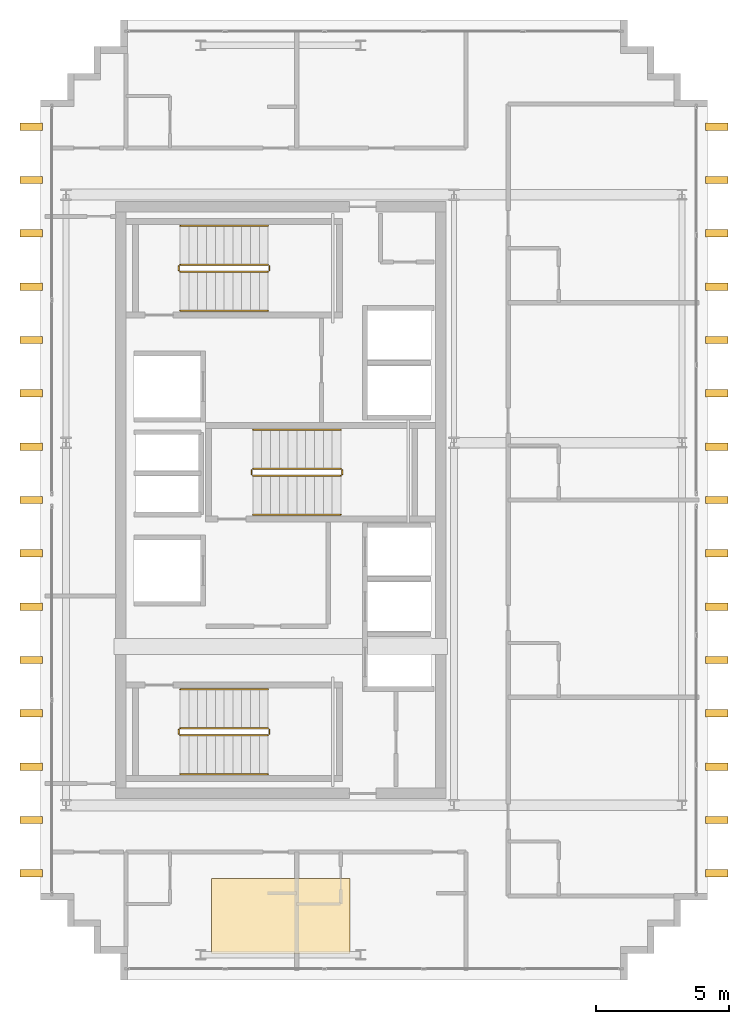
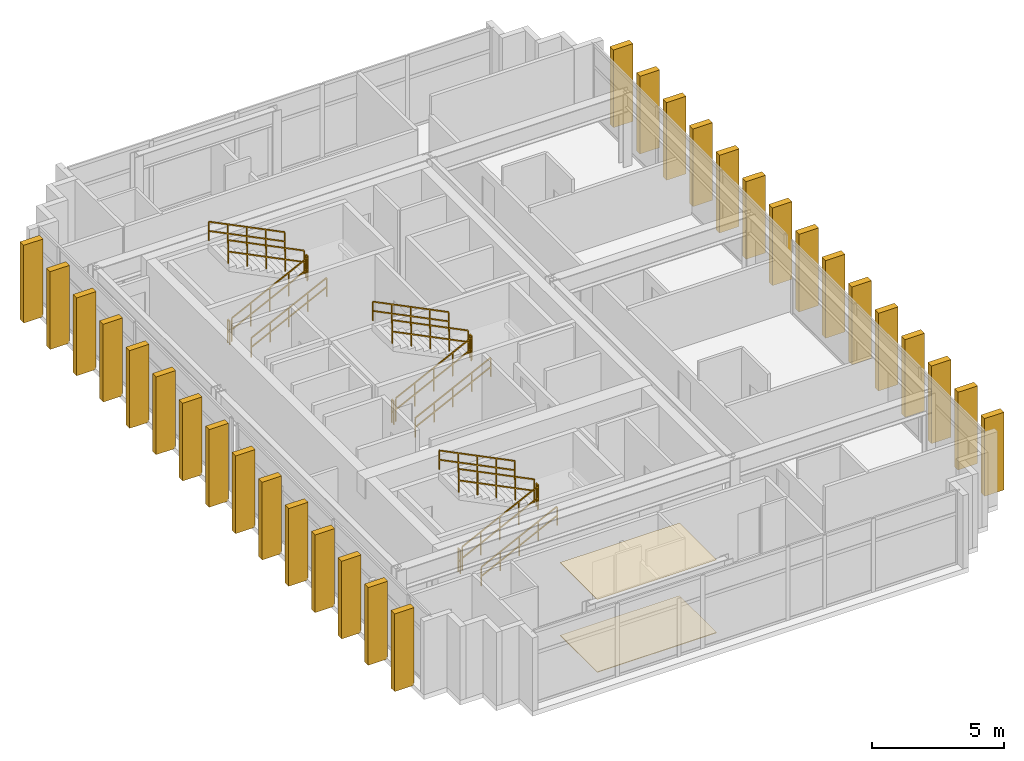
# One storey, part 15 of 15: 30 shading devices, 18 railings, 2 coverings.
"""IFC4 building model written with IfcOpenShell, lengths in metres."""

from ifc_helpers import new_model, si_unit, direction, frame, origin, origin_2d, place, context, subcontext, project, spatial, polyline, rectangle, outline, extrude, source, transform, mapped, material, layer, layer_set, type_object, element, save


model = new_model("IFC4")

# Units and contexts
model_context = context("Model", 3, precision=1e-05, world=origin(), true_north=direction((0.0, 1.0)))
body_context = subcontext(model_context, "Body", "Model", "MODEL_VIEW")
ifc_project = project(units=[si_unit("LENGTHUNIT", "METRE"), si_unit("AREAUNIT", "SQUARE_METRE"), si_unit("VOLUMEUNIT", "CUBIC_METRE"), si_unit("PLANEANGLEUNIT", "RADIAN"), si_unit("MASSUNIT", "GRAM", prefix="KILO")], contexts=[model_context])

# Site, building, storey
site_placement = place(None, origin())
site = spatial("IfcSite", under=ifc_project, at=site_placement, CompositionType="ELEMENT")
building_placement = place(site_placement, origin())
building = spatial("IfcBuilding", under=site, at=building_placement, Name="Ocotamira Hotel", CompositionType="ELEMENT")
storey_placement = place(building_placement, frame((0.0, 0.0, 286.800048828125)))
storey = spatial("IfcBuildingStorey", under=building, at=storey_placement, Name="L73", CompositionType="ELEMENT", Elevation=286.800048828125)

# Coverings
ifc_material_1 = material(Name="Perforated acoustic gypsum ceiling board", Category="gypsum")
ifc_layer_1 = layer(ifc_material_1, 0.02490234375)
ifc_layer_set_1 = layer_set([ifc_layer_1], Name="Perforated acoustic gypsum ceiling board")
covering_type_1 = type_object("IfcCoveringType", Name="COV-CEIL-25", PredefinedType="CEILING", material=ifc_layer_set_1)
covering_1_placement = place(storey_placement, frame((0.0, 0.0, 3.35498046875)))
element("IfcCovering", 1, at=covering_1_placement, inside=storey, type_object=covering_type_1, Name="L73 Acoustic Ceiling", PredefinedType="CEILING", context=body_context, shape_type="SweptSolid", body=[
    extrude(outline(polyline([(14.39990234375, 9.0), (19.60009765625, 9.0), (19.60009765625, 11.800048828125), (14.39990234375, 11.800048828125), (14.39990234375, 9.0)])), origin(), (0.0, 0.0, 1.0), 0.02490234375),
])
ifc_material_2 = material(Name="Honed desert travertine stone flooring", Category="masonry")
ifc_layer_2 = layer(ifc_material_2, 0.030029296875)
ifc_layer_set_2 = layer_set([ifc_layer_2], Name="Honed desert travertine stone flooring")
covering_type_2 = type_object("IfcCoveringType", Name="COV-FLOR-30", PredefinedType="FLOORING", material=ifc_layer_set_2)
covering_2_placement = place(storey_placement, origin())
element("IfcCovering", 2, at=covering_2_placement, inside=storey, type_object=covering_type_2, Name="L73 Honed Stone Floor Finish", PredefinedType="FLOORING", context=body_context, shape_type="SweptSolid", body=[
    extrude(outline(polyline([(14.39990234375, 9.0), (19.60009765625, 9.0), (19.60009765625, 11.800048828125), (14.39990234375, 11.800048828125), (14.39990234375, 9.0)])), origin(), (0.0, 0.0, 1.0), 0.030029296875),
])

# Railings
ifc_material_3 = material(Name="Brushed stainless steel handrail", Category="steel")
railing_type_1 = type_object("IfcRailingType", Name="RL-HAND-900", PredefinedType="HANDRAIL", material=ifc_material_3)
railing_1_placement = place(storey_placement, frame((13.22998046875, 15.719970703125, 0.3271484375)))
element("IfcRailing", 3, at=railing_1_placement, inside=storey, type_object=railing_type_1, Name="L73 ST-1 stair handrail 1", PredefinedType="HANDRAIL", context=body_context, shape_type="SweptSolid", body=[
    extrude(rectangle(XDim=0.048095703125, YDim=0.048095703125, at=origin_2d()), frame((0.0, 0.0, 0.8759765625), z_axis=(0.895893744519, 0.0, 0.4442683857), x_axis=(0.0, 1.0, 0.0)), (0.0, 0.0, 1.0), 3.68359375),
    extrude(rectangle(XDim=0.048095703125, YDim=0.048095703125, at=origin_2d()), frame((0.0, 0.0, 0.449951171875), z_axis=(0.895893744519, 0.0, 0.4442683857), x_axis=(0.0, 1.0, 0.0)), (0.0, 0.0, 1.0), 3.68359375),
    extrude(rectangle(XDim=0.0419921875, YDim=0.0419921875, at=origin_2d()), origin(), (0.0, 0.0, 1.0), 0.851806640625),
    extrude(rectangle(XDim=0.0419921875, YDim=0.0419921875, at=origin_2d()), frame((0.824951171875, 0.0, 0.4091796875)), (0.0, 0.0, 1.0), 0.851806640625),
    extrude(rectangle(XDim=0.0419921875, YDim=0.0419921875, at=origin_2d()), frame((1.64990234375, 0.0, 0.818359375)), (0.0, 0.0, 1.0), 0.851806640625),
    extrude(rectangle(XDim=0.0419921875, YDim=0.0419921875, at=origin_2d()), frame((2.47509765625, 0.0, 1.227294921875)), (0.0, 0.0, 1.0), 0.851806640625),
    extrude(rectangle(XDim=0.0419921875, YDim=0.0419921875, at=origin_2d()), frame((3.300048828125, 0.0, 1.636474609375)), (0.0, 0.0, 1.0), 0.851806640625),
])
railing_2_placement = place(storey_placement, frame((16.530029296875, 18.89990234375, 2.127197265625)))
element("IfcRailing", 4, at=railing_2_placement, inside=storey, type_object=railing_type_1, Name="L73 ST-1 stair handrail 2", PredefinedType="HANDRAIL", context=body_context, shape_type="SweptSolid", body=[
    extrude(rectangle(XDim=0.048095703125, YDim=0.048095703125, at=origin_2d()), frame((0.0, 0.0, 0.8759765625), z_axis=(-0.895893744519, 0.0, 0.4442683857), x_axis=(0.0, -1.0, 0.0)), (0.0, 0.0, 1.0), 3.68359375),
    extrude(rectangle(XDim=0.048095703125, YDim=0.048095703125, at=origin_2d()), frame((0.0, 0.0, 0.449951171875), z_axis=(-0.895893744519, 0.0, 0.4442683857), x_axis=(0.0, -1.0, 0.0)), (0.0, 0.0, 1.0), 3.68359375),
    extrude(rectangle(XDim=0.0419921875, YDim=0.0419921875, at=origin_2d()), origin(), (0.0, 0.0, 1.0), 0.851806640625),
    extrude(rectangle(XDim=0.0419921875, YDim=0.0419921875, at=origin_2d()), frame((-0.824951171875, 0.0, 0.4091796875)), (0.0, 0.0, 1.0), 0.851806640625),
    extrude(rectangle(XDim=0.0419921875, YDim=0.0419921875, at=origin_2d()), frame((-1.64990234375, 0.0, 0.818359375)), (0.0, 0.0, 1.0), 0.851806640625),
    extrude(rectangle(XDim=0.0419921875, YDim=0.0419921875, at=origin_2d()), frame((-2.47509765625, 0.0, 1.227294921875)), (0.0, 0.0, 1.0), 0.851806640625),
    extrude(rectangle(XDim=0.0419921875, YDim=0.0419921875, at=origin_2d()), frame((-3.300048828125, 0.0, 1.636474609375)), (0.0, 0.0, 1.0), 0.851806640625),
])
railing_3_placement = place(storey_placement, frame((13.22998046875, 33.10009765625, 0.3271484375)))
element("IfcRailing", 5, at=railing_3_placement, inside=storey, type_object=railing_type_1, Name="L73 ST-2 stair handrail 1", PredefinedType="HANDRAIL", context=body_context, shape_type="SweptSolid", body=[
    extrude(rectangle(XDim=0.048095703125, YDim=0.048095703125, at=origin_2d()), frame((0.0, 0.0, 0.8759765625), z_axis=(0.895893744519, 0.0, 0.4442683857), x_axis=(0.0, 1.0, 0.0)), (0.0, 0.0, 1.0), 3.68359375),
    extrude(rectangle(XDim=0.048095703125, YDim=0.048095703125, at=origin_2d()), frame((0.0, 0.0, 0.449951171875), z_axis=(0.895893744519, 0.0, 0.4442683857), x_axis=(0.0, 1.0, 0.0)), (0.0, 0.0, 1.0), 3.68359375),
    extrude(rectangle(XDim=0.0419921875, YDim=0.0419921875, at=origin_2d()), origin(), (0.0, 0.0, 1.0), 0.851806640625),
    extrude(rectangle(XDim=0.0419921875, YDim=0.0419921875, at=origin_2d()), frame((0.824951171875, 0.0, 0.4091796875)), (0.0, 0.0, 1.0), 0.851806640625),
    extrude(rectangle(XDim=0.0419921875, YDim=0.0419921875, at=origin_2d()), frame((1.64990234375, 0.0, 0.818359375)), (0.0, 0.0, 1.0), 0.851806640625),
    extrude(rectangle(XDim=0.0419921875, YDim=0.0419921875, at=origin_2d()), frame((2.47509765625, 0.0, 1.227294921875)), (0.0, 0.0, 1.0), 0.851806640625),
    extrude(rectangle(XDim=0.0419921875, YDim=0.0419921875, at=origin_2d()), frame((3.300048828125, 0.0, 1.636474609375)), (0.0, 0.0, 1.0), 0.851806640625),
])
railing_4_placement = place(storey_placement, frame((16.530029296875, 36.280029296875, 2.127197265625)))
element("IfcRailing", 6, at=railing_4_placement, inside=storey, type_object=railing_type_1, Name="L73 ST-2 stair handrail 2", PredefinedType="HANDRAIL", context=body_context, shape_type="SweptSolid", body=[
    extrude(rectangle(XDim=0.048095703125, YDim=0.048095703125, at=origin_2d()), frame((0.0, 0.0, 0.8759765625), z_axis=(-0.895893744519, 0.0, 0.4442683857), x_axis=(0.0, -1.0, 0.0)), (0.0, 0.0, 1.0), 3.68359375),
    extrude(rectangle(XDim=0.048095703125, YDim=0.048095703125, at=origin_2d()), frame((0.0, 0.0, 0.449951171875), z_axis=(-0.895893744519, 0.0, 0.4442683857), x_axis=(0.0, -1.0, 0.0)), (0.0, 0.0, 1.0), 3.68359375),
    extrude(rectangle(XDim=0.0419921875, YDim=0.0419921875, at=origin_2d()), origin(), (0.0, 0.0, 1.0), 0.851806640625),
    extrude(rectangle(XDim=0.0419921875, YDim=0.0419921875, at=origin_2d()), frame((-0.824951171875, 0.0, 0.4091796875)), (0.0, 0.0, 1.0), 0.851806640625),
    extrude(rectangle(XDim=0.0419921875, YDim=0.0419921875, at=origin_2d()), frame((-1.64990234375, 0.0, 0.818359375)), (0.0, 0.0, 1.0), 0.851806640625),
    extrude(rectangle(XDim=0.0419921875, YDim=0.0419921875, at=origin_2d()), frame((-2.47509765625, 0.0, 1.227294921875)), (0.0, 0.0, 1.0), 0.851806640625),
    extrude(rectangle(XDim=0.0419921875, YDim=0.0419921875, at=origin_2d()), frame((-3.300048828125, 0.0, 1.636474609375)), (0.0, 0.0, 1.0), 0.851806640625),
])
railing_5_placement = place(storey_placement, frame((15.9599609375, 25.449951171875, 0.3271484375)))
element("IfcRailing", 7, at=railing_5_placement, inside=storey, type_object=railing_type_1, Name="L73 ST-3 stair handrail 1", PredefinedType="HANDRAIL", context=body_context, shape_type="SweptSolid", body=[
    extrude(rectangle(XDim=0.048095703125, YDim=0.048095703125, at=origin_2d()), frame((0.0, 0.0, 0.8759765625), z_axis=(0.895893744519, 0.0, 0.4442683857), x_axis=(0.0, 1.0, 0.0)), (0.0, 0.0, 1.0), 3.68359375),
    extrude(rectangle(XDim=0.048095703125, YDim=0.048095703125, at=origin_2d()), frame((0.0, 0.0, 0.449951171875), z_axis=(0.895893744519, 0.0, 0.4442683857), x_axis=(0.0, 1.0, 0.0)), (0.0, 0.0, 1.0), 3.68359375),
    extrude(rectangle(XDim=0.0419921875, YDim=0.0419921875, at=origin_2d()), origin(), (0.0, 0.0, 1.0), 0.851806640625),
    extrude(rectangle(XDim=0.0419921875, YDim=0.0419921875, at=origin_2d()), frame((0.824951171875, 0.0, 0.4091796875)), (0.0, 0.0, 1.0), 0.851806640625),
    extrude(rectangle(XDim=0.0419921875, YDim=0.0419921875, at=origin_2d()), frame((1.64990234375, 0.0, 0.818359375)), (0.0, 0.0, 1.0), 0.851806640625),
    extrude(rectangle(XDim=0.0419921875, YDim=0.0419921875, at=origin_2d()), frame((2.47509765625, 0.0, 1.227294921875)), (0.0, 0.0, 1.0), 0.851806640625),
    extrude(rectangle(XDim=0.0419921875, YDim=0.0419921875, at=origin_2d()), frame((3.300048828125, 0.0, 1.636474609375)), (0.0, 0.0, 1.0), 0.851806640625),
])
railing_6_placement = place(storey_placement, frame((19.260009765625, 28.6298828125, 2.127197265625)))
element("IfcRailing", 8, at=railing_6_placement, inside=storey, type_object=railing_type_1, Name="L73 ST-3 stair handrail 2", PredefinedType="HANDRAIL", context=body_context, shape_type="SweptSolid", body=[
    extrude(rectangle(XDim=0.048095703125, YDim=0.048095703125, at=origin_2d()), frame((0.0, 0.0, 0.8759765625), z_axis=(-0.895893744519, 0.0, 0.4442683857), x_axis=(0.0, -1.0, 0.0)), (0.0, 0.0, 1.0), 3.68359375),
    extrude(rectangle(XDim=0.048095703125, YDim=0.048095703125, at=origin_2d()), frame((0.0, 0.0, 0.449951171875), z_axis=(-0.895893744519, 0.0, 0.4442683857), x_axis=(0.0, -1.0, 0.0)), (0.0, 0.0, 1.0), 3.68359375),
    extrude(rectangle(XDim=0.0419921875, YDim=0.0419921875, at=origin_2d()), origin(), (0.0, 0.0, 1.0), 0.851806640625),
    extrude(rectangle(XDim=0.0419921875, YDim=0.0419921875, at=origin_2d()), frame((-0.824951171875, 0.0, 0.4091796875)), (0.0, 0.0, 1.0), 0.851806640625),
    extrude(rectangle(XDim=0.0419921875, YDim=0.0419921875, at=origin_2d()), frame((-1.64990234375, 0.0, 0.818359375)), (0.0, 0.0, 1.0), 0.851806640625),
    extrude(rectangle(XDim=0.0419921875, YDim=0.0419921875, at=origin_2d()), frame((-2.47509765625, 0.0, 1.227294921875)), (0.0, 0.0, 1.0), 0.851806640625),
    extrude(rectangle(XDim=0.0419921875, YDim=0.0419921875, at=origin_2d()), frame((-3.300048828125, 0.0, 1.636474609375)), (0.0, 0.0, 1.0), 0.851806640625),
])
ifc_material_4 = material(Name="Painted steel stair guardrail", Category="steel")
railing_type_2 = type_object("IfcRailingType", Name="RL-STAIR-1100", PredefinedType="GUARDRAIL", material=ifc_material_4)
railing_7_placement = place(storey_placement, frame((13.22998046875, 17.179931640625, 0.16357421875)))
element("IfcRailing", 9, at=railing_7_placement, inside=storey, type_object=railing_type_2, Name="L73 ST-1 stair guard 1", PredefinedType="GUARDRAIL", context=body_context, shape_type="SweptSolid", body=[
    extrude(rectangle(XDim=0.048095703125, YDim=0.048095703125, at=origin_2d()), frame((0.0, 0.0, 1.076171875), z_axis=(0.895893744519, 0.0, 0.4442683857), x_axis=(0.0, 1.0, 0.0)), (0.0, 0.0, 1.0), 3.68359375),
    extrude(rectangle(XDim=0.048095703125, YDim=0.048095703125, at=origin_2d()), frame((0.0, 0.0, 0.550048828125), z_axis=(0.895893744519, 0.0, 0.4442683857), x_axis=(0.0, 1.0, 0.0)), (0.0, 0.0, 1.0), 3.68359375),
    extrude(rectangle(XDim=0.0419921875, YDim=0.0419921875, at=origin_2d()), origin(), (0.0, 0.0, 1.0), 1.052001953125),
    extrude(rectangle(XDim=0.0419921875, YDim=0.0419921875, at=origin_2d()), frame((0.824951171875, 0.0, 0.4091796875)), (0.0, 0.0, 1.0), 1.052001953125),
    extrude(rectangle(XDim=0.0419921875, YDim=0.0419921875, at=origin_2d()), frame((1.64990234375, 0.0, 0.818359375)), (0.0, 0.0, 1.0), 1.052001953125),
    extrude(rectangle(XDim=0.0419921875, YDim=0.0419921875, at=origin_2d()), frame((2.47509765625, 0.0, 1.227294921875)), (0.0, 0.0, 1.0), 1.052001953125),
    extrude(rectangle(XDim=0.0419921875, YDim=0.0419921875, at=origin_2d()), frame((3.300048828125, 0.0, 1.636474609375)), (0.0, 0.0, 1.0), 1.052001953125),
])
railing_8_placement = place(storey_placement, frame((16.580078125, 17.22998046875, 1.800048828125)))
element("IfcRailing", 10, at=railing_8_placement, inside=storey, type_object=railing_type_2, Name="L73 ST-1 stair guard 2", PredefinedType="GUARDRAIL", context=body_context, shape_type="SweptSolid", body=[
    extrude(rectangle(XDim=0.048095703125, YDim=0.048095703125, at=origin_2d()), frame((0.0, 0.0, 1.076171875), z_axis=(0.0, 1.0, 0.0), x_axis=(-1.0, 0.0, 0.0)), (0.0, 0.0, 1.0), 0.159912109375),
    extrude(rectangle(XDim=0.048095703125, YDim=0.048095703125, at=origin_2d()), frame((0.0, 0.0, 0.550048828125), z_axis=(0.0, 1.0, 0.0), x_axis=(-1.0, 0.0, 0.0)), (0.0, 0.0, 1.0), 0.159912109375),
    extrude(rectangle(XDim=0.0419921875, YDim=0.0419921875, at=origin_2d()), origin(), (0.0, 0.0, 1.0), 1.052001953125),
    extrude(rectangle(XDim=0.0419921875, YDim=0.0419921875, at=origin_2d()), frame((0.0, 0.159912109375, 0.0)), (0.0, 0.0, 1.0), 1.052001953125),
])
railing_9_placement = place(storey_placement, frame((16.530029296875, 17.43994140625, 1.963623046875)))
element("IfcRailing", 11, at=railing_9_placement, inside=storey, type_object=railing_type_2, Name="L73 ST-1 stair guard 3", PredefinedType="GUARDRAIL", context=body_context, shape_type="SweptSolid", body=[
    extrude(rectangle(XDim=0.048095703125, YDim=0.048095703125, at=origin_2d()), frame((0.0, 0.0, 1.076171875), z_axis=(-0.895920123917, 0.0, 0.444215186098), x_axis=(0.0, -1.0, 0.0)), (0.0, 0.0, 1.0), 3.683349609375),
    extrude(rectangle(XDim=0.048095703125, YDim=0.048095703125, at=origin_2d()), frame((0.0, 0.0, 0.550048828125), z_axis=(-0.895920123917, 0.0, 0.444215186098), x_axis=(0.0, -1.0, 0.0)), (0.0, 0.0, 1.0), 3.683349609375),
    extrude(rectangle(XDim=0.0419921875, YDim=0.0419921875, at=origin_2d()), origin(), (0.0, 0.0, 1.0), 1.052001953125),
    extrude(rectangle(XDim=0.0419921875, YDim=0.0419921875, at=origin_2d()), frame((-0.824951171875, 0.0, 0.4091796875)), (0.0, 0.0, 1.0), 1.052001953125),
    extrude(rectangle(XDim=0.0419921875, YDim=0.0419921875, at=origin_2d()), frame((-1.64990234375, 0.0, 0.818115234375)), (0.0, 0.0, 1.0), 1.052001953125),
    extrude(rectangle(XDim=0.0419921875, YDim=0.0419921875, at=origin_2d()), frame((-2.47509765625, 0.0, 1.22705078125)), (0.0, 0.0, 1.0), 1.052001953125),
    extrude(rectangle(XDim=0.0419921875, YDim=0.0419921875, at=origin_2d()), frame((-3.300048828125, 0.0, 1.63623046875)), (0.0, 0.0, 1.0), 1.052001953125),
])
railing_10_placement = place(storey_placement, frame((13.179931640625, 17.22998046875, 0.0)))
element("IfcRailing", 12, at=railing_10_placement, inside=storey, type_object=railing_type_2, Name="L73 ST-1 stair guard 4", PredefinedType="GUARDRAIL", context=body_context, shape_type="SweptSolid", body=[
    extrude(rectangle(XDim=0.048095703125, YDim=0.048095703125, at=origin_2d()), frame((0.0, 0.0, 1.076171875), z_axis=(0.0, 1.0, 0.0), x_axis=(-1.0, 0.0, 0.0)), (0.0, 0.0, 1.0), 0.159912109375),
    extrude(rectangle(XDim=0.048095703125, YDim=0.048095703125, at=origin_2d()), frame((0.0, 0.0, 0.550048828125), z_axis=(0.0, 1.0, 0.0), x_axis=(-1.0, 0.0, 0.0)), (0.0, 0.0, 1.0), 0.159912109375),
    extrude(rectangle(XDim=0.0419921875, YDim=0.0419921875, at=origin_2d()), origin(), (0.0, 0.0, 1.0), 1.052001953125),
    extrude(rectangle(XDim=0.0419921875, YDim=0.0419921875, at=origin_2d()), frame((0.0, 0.159912109375, 0.0)), (0.0, 0.0, 1.0), 1.052001953125),
])
railing_11_placement = place(storey_placement, frame((13.22998046875, 34.56005859375, 0.16357421875)))
element("IfcRailing", 13, at=railing_11_placement, inside=storey, type_object=railing_type_2, Name="L73 ST-2 stair guard 1", PredefinedType="GUARDRAIL", context=body_context, shape_type="SweptSolid", body=[
    extrude(rectangle(XDim=0.048095703125, YDim=0.048095703125, at=origin_2d()), frame((0.0, 0.0, 1.076171875), z_axis=(0.895893744519, 0.0, 0.4442683857), x_axis=(0.0, 1.0, 0.0)), (0.0, 0.0, 1.0), 3.68359375),
    extrude(rectangle(XDim=0.048095703125, YDim=0.048095703125, at=origin_2d()), frame((0.0, 0.0, 0.550048828125), z_axis=(0.895893744519, 0.0, 0.4442683857), x_axis=(0.0, 1.0, 0.0)), (0.0, 0.0, 1.0), 3.68359375),
    extrude(rectangle(XDim=0.0419921875, YDim=0.0419921875, at=origin_2d()), origin(), (0.0, 0.0, 1.0), 1.052001953125),
    extrude(rectangle(XDim=0.0419921875, YDim=0.0419921875, at=origin_2d()), frame((0.824951171875, 0.0, 0.4091796875)), (0.0, 0.0, 1.0), 1.052001953125),
    extrude(rectangle(XDim=0.0419921875, YDim=0.0419921875, at=origin_2d()), frame((1.64990234375, 0.0, 0.818359375)), (0.0, 0.0, 1.0), 1.052001953125),
    extrude(rectangle(XDim=0.0419921875, YDim=0.0419921875, at=origin_2d()), frame((2.47509765625, 0.0, 1.227294921875)), (0.0, 0.0, 1.0), 1.052001953125),
    extrude(rectangle(XDim=0.0419921875, YDim=0.0419921875, at=origin_2d()), frame((3.300048828125, 0.0, 1.636474609375)), (0.0, 0.0, 1.0), 1.052001953125),
])
railing_12_placement = place(storey_placement, frame((16.580078125, 34.610107421875, 1.800048828125)))
element("IfcRailing", 14, at=railing_12_placement, inside=storey, type_object=railing_type_2, Name="L73 ST-2 stair guard 2", PredefinedType="GUARDRAIL", context=body_context, shape_type="SweptSolid", body=[
    extrude(rectangle(XDim=0.048095703125, YDim=0.048095703125, at=origin_2d()), frame((0.0, 0.0, 1.076171875), z_axis=(0.0, 1.0, 0.0), x_axis=(-1.0, 0.0, 0.0)), (0.0, 0.0, 1.0), 0.159912109375),
    extrude(rectangle(XDim=0.048095703125, YDim=0.048095703125, at=origin_2d()), frame((0.0, 0.0, 0.550048828125), z_axis=(0.0, 1.0, 0.0), x_axis=(-1.0, 0.0, 0.0)), (0.0, 0.0, 1.0), 0.159912109375),
    extrude(rectangle(XDim=0.0419921875, YDim=0.0419921875, at=origin_2d()), origin(), (0.0, 0.0, 1.0), 1.052001953125),
    extrude(rectangle(XDim=0.0419921875, YDim=0.0419921875, at=origin_2d()), frame((0.0, 0.159912109375, 0.0)), (0.0, 0.0, 1.0), 1.052001953125),
])
railing_13_placement = place(storey_placement, frame((16.530029296875, 34.820068359375, 1.963623046875)))
element("IfcRailing", 15, at=railing_13_placement, inside=storey, type_object=railing_type_2, Name="L73 ST-2 stair guard 3", PredefinedType="GUARDRAIL", context=body_context, shape_type="SweptSolid", body=[
    extrude(rectangle(XDim=0.048095703125, YDim=0.048095703125, at=origin_2d()), frame((0.0, 0.0, 1.076171875), z_axis=(-0.895920123917, 0.0, 0.444215186098), x_axis=(0.0, -1.0, 0.0)), (0.0, 0.0, 1.0), 3.683349609375),
    extrude(rectangle(XDim=0.048095703125, YDim=0.048095703125, at=origin_2d()), frame((0.0, 0.0, 0.550048828125), z_axis=(-0.895920123917, 0.0, 0.444215186098), x_axis=(0.0, -1.0, 0.0)), (0.0, 0.0, 1.0), 3.683349609375),
    extrude(rectangle(XDim=0.0419921875, YDim=0.0419921875, at=origin_2d()), origin(), (0.0, 0.0, 1.0), 1.052001953125),
    extrude(rectangle(XDim=0.0419921875, YDim=0.0419921875, at=origin_2d()), frame((-0.824951171875, 0.0, 0.4091796875)), (0.0, 0.0, 1.0), 1.052001953125),
    extrude(rectangle(XDim=0.0419921875, YDim=0.0419921875, at=origin_2d()), frame((-1.64990234375, 0.0, 0.818115234375)), (0.0, 0.0, 1.0), 1.052001953125),
    extrude(rectangle(XDim=0.0419921875, YDim=0.0419921875, at=origin_2d()), frame((-2.47509765625, 0.0, 1.22705078125)), (0.0, 0.0, 1.0), 1.052001953125),
    extrude(rectangle(XDim=0.0419921875, YDim=0.0419921875, at=origin_2d()), frame((-3.300048828125, 0.0, 1.63623046875)), (0.0, 0.0, 1.0), 1.052001953125),
])
railing_14_placement = place(storey_placement, frame((13.179931640625, 34.610107421875, 0.0)))
element("IfcRailing", 16, at=railing_14_placement, inside=storey, type_object=railing_type_2, Name="L73 ST-2 stair guard 4", PredefinedType="GUARDRAIL", context=body_context, shape_type="SweptSolid", body=[
    extrude(rectangle(XDim=0.048095703125, YDim=0.048095703125, at=origin_2d()), frame((0.0, 0.0, 1.076171875), z_axis=(0.0, 1.0, 0.0), x_axis=(-1.0, 0.0, 0.0)), (0.0, 0.0, 1.0), 0.159912109375),
    extrude(rectangle(XDim=0.048095703125, YDim=0.048095703125, at=origin_2d()), frame((0.0, 0.0, 0.550048828125), z_axis=(0.0, 1.0, 0.0), x_axis=(-1.0, 0.0, 0.0)), (0.0, 0.0, 1.0), 0.159912109375),
    extrude(rectangle(XDim=0.0419921875, YDim=0.0419921875, at=origin_2d()), origin(), (0.0, 0.0, 1.0), 1.052001953125),
    extrude(rectangle(XDim=0.0419921875, YDim=0.0419921875, at=origin_2d()), frame((0.0, 0.159912109375, 0.0)), (0.0, 0.0, 1.0), 1.052001953125),
])
railing_15_placement = place(storey_placement, frame((15.9599609375, 26.909912109375, 0.16357421875)))
element("IfcRailing", 17, at=railing_15_placement, inside=storey, type_object=railing_type_2, Name="L73 ST-3 stair guard 1", PredefinedType="GUARDRAIL", context=body_context, shape_type="SweptSolid", body=[
    extrude(rectangle(XDim=0.048095703125, YDim=0.048095703125, at=origin_2d()), frame((0.0, 0.0, 1.076171875), z_axis=(0.895893744519, 0.0, 0.4442683857), x_axis=(0.0, 1.0, 0.0)), (0.0, 0.0, 1.0), 3.68359375),
    extrude(rectangle(XDim=0.048095703125, YDim=0.048095703125, at=origin_2d()), frame((0.0, 0.0, 0.550048828125), z_axis=(0.895893744519, 0.0, 0.4442683857), x_axis=(0.0, 1.0, 0.0)), (0.0, 0.0, 1.0), 3.68359375),
    extrude(rectangle(XDim=0.0419921875, YDim=0.0419921875, at=origin_2d()), origin(), (0.0, 0.0, 1.0), 1.052001953125),
    extrude(rectangle(XDim=0.0419921875, YDim=0.0419921875, at=origin_2d()), frame((0.824951171875, 0.0, 0.4091796875)), (0.0, 0.0, 1.0), 1.052001953125),
    extrude(rectangle(XDim=0.0419921875, YDim=0.0419921875, at=origin_2d()), frame((1.64990234375, 0.0, 0.818359375)), (0.0, 0.0, 1.0), 1.052001953125),
    extrude(rectangle(XDim=0.0419921875, YDim=0.0419921875, at=origin_2d()), frame((2.47509765625, 0.0, 1.227294921875)), (0.0, 0.0, 1.0), 1.052001953125),
    extrude(rectangle(XDim=0.0419921875, YDim=0.0419921875, at=origin_2d()), frame((3.300048828125, 0.0, 1.636474609375)), (0.0, 0.0, 1.0), 1.052001953125),
])
railing_16_placement = place(storey_placement, frame((19.31005859375, 26.9599609375, 1.800048828125)))
element("IfcRailing", 18, at=railing_16_placement, inside=storey, type_object=railing_type_2, Name="L73 ST-3 stair guard 2", PredefinedType="GUARDRAIL", context=body_context, shape_type="SweptSolid", body=[
    extrude(rectangle(XDim=0.048095703125, YDim=0.048095703125, at=origin_2d()), frame((0.0, 0.0, 1.076171875), z_axis=(0.0, 1.0, 0.0), x_axis=(-1.0, 0.0, 0.0)), (0.0, 0.0, 1.0), 0.16015625),
    extrude(rectangle(XDim=0.048095703125, YDim=0.048095703125, at=origin_2d()), frame((0.0, 0.0, 0.550048828125), z_axis=(0.0, 1.0, 0.0), x_axis=(-1.0, 0.0, 0.0)), (0.0, 0.0, 1.0), 0.16015625),
    extrude(rectangle(XDim=0.0419921875, YDim=0.0419921875, at=origin_2d()), origin(), (0.0, 0.0, 1.0), 1.052001953125),
    extrude(rectangle(XDim=0.0419921875, YDim=0.0419921875, at=origin_2d()), frame((0.0, 0.16015625, 0.0)), (0.0, 0.0, 1.0), 1.052001953125),
])
railing_17_placement = place(storey_placement, frame((19.260009765625, 27.169921875, 1.963623046875)))
element("IfcRailing", 19, at=railing_17_placement, inside=storey, type_object=railing_type_2, Name="L73 ST-3 stair guard 3", PredefinedType="GUARDRAIL", context=body_context, shape_type="SweptSolid", body=[
    extrude(rectangle(XDim=0.048095703125, YDim=0.048095703125, at=origin_2d()), frame((0.0, 0.0, 1.076171875), z_axis=(-0.895920123917, 0.0, 0.444215186098), x_axis=(0.0, -1.0, 0.0)), (0.0, 0.0, 1.0), 3.683349609375),
    extrude(rectangle(XDim=0.048095703125, YDim=0.048095703125, at=origin_2d()), frame((0.0, 0.0, 0.550048828125), z_axis=(-0.895920123917, 0.0, 0.444215186098), x_axis=(0.0, -1.0, 0.0)), (0.0, 0.0, 1.0), 3.683349609375),
    extrude(rectangle(XDim=0.0419921875, YDim=0.0419921875, at=origin_2d()), origin(), (0.0, 0.0, 1.0), 1.052001953125),
    extrude(rectangle(XDim=0.0419921875, YDim=0.0419921875, at=origin_2d()), frame((-0.824951171875, 0.0, 0.4091796875)), (0.0, 0.0, 1.0), 1.052001953125),
    extrude(rectangle(XDim=0.0419921875, YDim=0.0419921875, at=origin_2d()), frame((-1.64990234375, 0.0, 0.818115234375)), (0.0, 0.0, 1.0), 1.052001953125),
    extrude(rectangle(XDim=0.0419921875, YDim=0.0419921875, at=origin_2d()), frame((-2.47509765625, 0.0, 1.22705078125)), (0.0, 0.0, 1.0), 1.052001953125),
    extrude(rectangle(XDim=0.0419921875, YDim=0.0419921875, at=origin_2d()), frame((-3.300048828125, 0.0, 1.63623046875)), (0.0, 0.0, 1.0), 1.052001953125),
])
railing_18_placement = place(storey_placement, frame((15.909912109375, 26.9599609375, 0.0)))
element("IfcRailing", 20, at=railing_18_placement, inside=storey, type_object=railing_type_2, Name="L73 ST-3 stair guard 4", PredefinedType="GUARDRAIL", context=body_context, shape_type="SweptSolid", body=[
    extrude(rectangle(XDim=0.048095703125, YDim=0.048095703125, at=origin_2d()), frame((0.0, 0.0, 1.076171875), z_axis=(0.0, 1.0, 0.0), x_axis=(-1.0, 0.0, 0.0)), (0.0, 0.0, 1.0), 0.16015625),
    extrude(rectangle(XDim=0.048095703125, YDim=0.048095703125, at=origin_2d()), frame((0.0, 0.0, 0.550048828125), z_axis=(0.0, 1.0, 0.0), x_axis=(-1.0, 0.0, 0.0)), (0.0, 0.0, 1.0), 0.16015625),
    extrude(rectangle(XDim=0.0419921875, YDim=0.0419921875, at=origin_2d()), origin(), (0.0, 0.0, 1.0), 1.052001953125),
    extrude(rectangle(XDim=0.0419921875, YDim=0.0419921875, at=origin_2d()), frame((0.0, 0.16015625, 0.0)), (0.0, 0.0, 1.0), 1.052001953125),
])

# Shading devices
ifc_material_5 = material(Name="Pale-metal anodised aluminium architectural fin", Category="aluminium")
shading_device_type = type_object("IfcShadingDeviceType", Name="SHD-PIER-850", PredefinedType="USERDEFINED", material=ifc_material_5)
shared_shape = source(origin(), body_context, "Body", "SweptSolid", [
    extrude(rectangle(XDim=0.85009765625, YDim=0.280029296875, at=origin_2d()), origin(), (0.0, 0.0, 1.0), 3.580078125),
])
for number, where, z_axis, x_axis, name in (
    (21, (7.64990234375, 12.0, -0.10009765625), (0.0, 0.0, 1.0), (1.0, 0.0, 0.0), "L73 West Peak Vertical Pier X7 Y12"),
    (22, (33.35009765625, 12.0, -0.10009765625), (0.0, 0.0, 1.0), (1.0, 0.0, 0.0), "L73 West Peak Vertical Pier X33 Y12"),
    (23, (7.64990234375, 14.0, -0.10009765625), (0.0, 0.0, 1.0), (1.0, 0.0, 0.0), "L73 West Peak Vertical Pier X7 Y14"),
    (24, (33.35009765625, 14.0, -0.10009765625), (0.0, 0.0, 1.0), (1.0, 0.0, 0.0), "L73 West Peak Vertical Pier X33 Y14"),
    (25, (7.64990234375, 16.0, -0.10009765625), (0.0, 0.0, 1.0), (1.0, 0.0, 0.0), "L73 West Peak Vertical Pier X7 Y16"),
    (26, (33.35009765625, 16.0, -0.10009765625), (0.0, 0.0, 1.0), (1.0, 0.0, 0.0), "L73 West Peak Vertical Pier X33 Y16"),
    (27, (7.64990234375, 18.0, -0.10009765625), (0.0, 0.0, 1.0), (1.0, 0.0, 0.0), "L73 West Peak Vertical Pier X7 Y18"),
    (28, (33.35009765625, 18.0, -0.10009765625), (0.0, 0.0, 1.0), (1.0, 0.0, 0.0), "L73 West Peak Vertical Pier X33 Y18"),
    (29, (7.64990234375, 20.0, -0.10009765625), (0.0, 0.0, 1.0), (1.0, 0.0, 0.0), "L73 West Peak Vertical Pier X7 Y20"),
    (30, (33.35009765625, 20.0, -0.10009765625), (0.0, 0.0, 1.0), (1.0, 0.0, 0.0), "L73 West Peak Vertical Pier X33 Y20"),
    (31, (7.64990234375, 22.0, -0.10009765625), (0.0, 0.0, 1.0), (1.0, 0.0, 0.0), "L73 West Peak Vertical Pier X7 Y22"),
    (32, (33.35009765625, 22.0, -0.10009765625), (0.0, 0.0, 1.0), (1.0, 0.0, 0.0), "L73 West Peak Vertical Pier X33 Y22"),
    (33, (7.64990234375, 24.0, -0.10009765625), (0.0, 0.0, 1.0), (1.0, 0.0, 0.0), "L73 West Peak Vertical Pier X7 Y24"),
    (34, (33.35009765625, 24.0, -0.10009765625), (0.0, 0.0, 1.0), (1.0, 0.0, 0.0), "L73 West Peak Vertical Pier X33 Y24"),
    (35, (7.64990234375, 26.0, -0.10009765625), (0.0, 0.0, 1.0), (1.0, 0.0, 0.0), "L73 West Peak Vertical Pier X7 Y26"),
    (36, (33.35009765625, 26.0, -0.10009765625), (0.0, 0.0, 1.0), (1.0, 0.0, 0.0), "L73 West Peak Vertical Pier X33 Y26"),
    (37, (7.64990234375, 28.0, -0.10009765625), (0.0, 0.0, 1.0), (1.0, 0.0, 0.0), "L73 West Peak Vertical Pier X7 Y28"),
    (38, (33.35009765625, 28.0, -0.10009765625), (0.0, 0.0, 1.0), (1.0, 0.0, 0.0), "L73 West Peak Vertical Pier X33 Y28"),
    (39, (7.64990234375, 30.0, -0.10009765625), (0.0, 0.0, 1.0), (1.0, 0.0, 0.0), "L73 West Peak Vertical Pier X7 Y30"),
    (40, (33.35009765625, 30.0, -0.10009765625), (0.0, 0.0, 1.0), (1.0, 0.0, 0.0), "L73 West Peak Vertical Pier X33 Y30"),
    (41, (7.64990234375, 32.0, -0.10009765625), (0.0, 0.0, 1.0), (1.0, 0.0, 0.0), "L73 West Peak Vertical Pier X7 Y32"),
    (42, (33.35009765625, 32.0, -0.10009765625), (0.0, 0.0, 1.0), (1.0, 0.0, 0.0), "L73 West Peak Vertical Pier X33 Y32"),
    (43, (7.64990234375, 34.0, -0.10009765625), (0.0, 0.0, 1.0), (1.0, 0.0, 0.0), "L73 West Peak Vertical Pier X7 Y34"),
    (44, (33.35009765625, 34.0, -0.10009765625), (0.0, 0.0, 1.0), (1.0, 0.0, 0.0), "L73 West Peak Vertical Pier X33 Y34"),
    (45, (7.64990234375, 36.0, -0.10009765625), (0.0, 0.0, 1.0), (1.0, 0.0, 0.0), "L73 West Peak Vertical Pier X7 Y36"),
    (46, (33.35009765625, 36.0, -0.10009765625), (0.0, 0.0, 1.0), (1.0, 0.0, 0.0), "L73 West Peak Vertical Pier X33 Y36"),
    (47, (7.64990234375, 38.0, -0.10009765625), (0.0, 0.0, 1.0), (1.0, 0.0, 0.0), "L73 West Peak Vertical Pier X7 Y38"),
    (48, (33.35009765625, 38.0, -0.10009765625), (0.0, 0.0, 1.0), (1.0, 0.0, 0.0), "L73 West Peak Vertical Pier X33 Y38"),
    (49, (7.64990234375, 40.0, -0.10009765625), (0.0, 0.0, 1.0), (1.0, 0.0, 0.0), "L73 West Peak Vertical Pier X7 Y40"),
    (50, (33.35009765625, 40.0, -0.10009765625), (0.0, 0.0, 1.0), (1.0, 0.0, 0.0), "L73 West Peak Vertical Pier X33 Y40"),
):
    element("IfcShadingDevice", number, at=place(storey_placement, frame(where, z_axis=z_axis, x_axis=x_axis)), inside=storey, type_object=shading_device_type, Name=name, ObjectType="FIN", PredefinedType="USERDEFINED", context=body_context, shape_type="MappedRepresentation", body=[
        mapped(shared_shape, transform((0.0, 0.0, 0.0), scale=1.0)),
    ])

save(model, "model.ifc")
